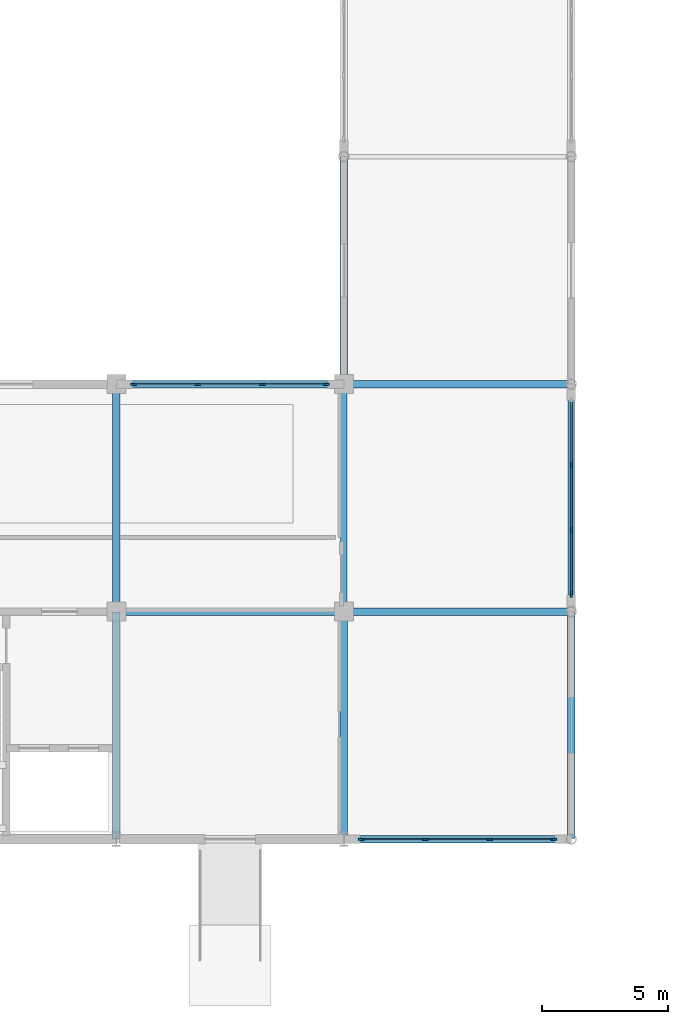
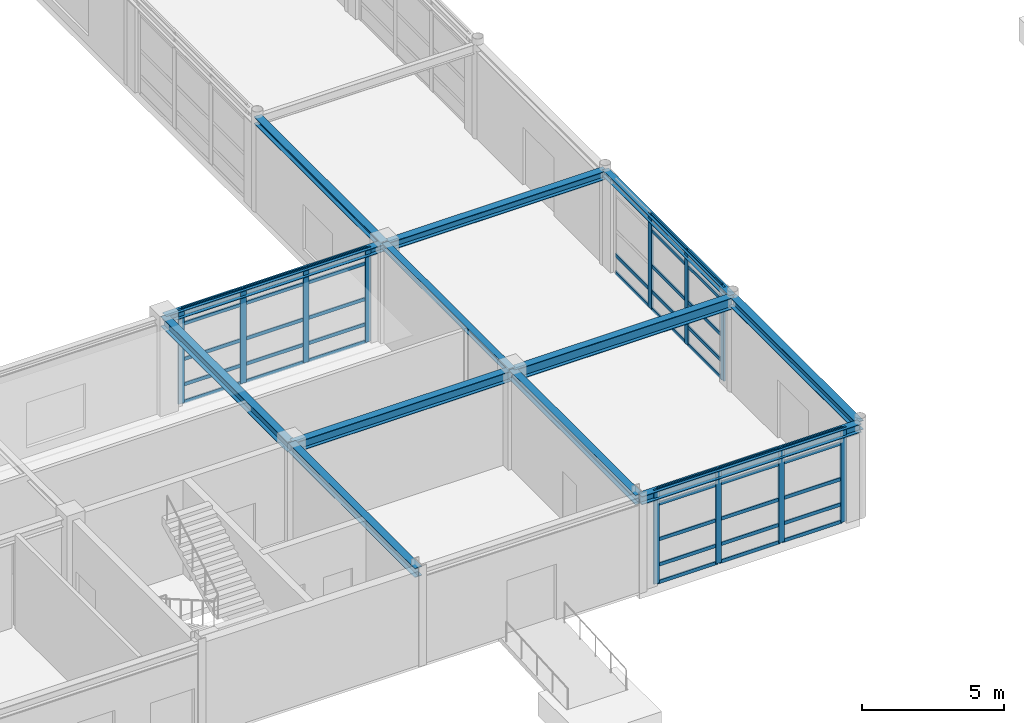
# One storey, part 23 of 72: 53 members, 12 beams, 3 elements without a shape of their own.
"""IFC4 building model written with IfcOpenShell, lengths in metres."""

import ifcopenshell
import ifcopenshell.guid

model = None  # the IFC model being written
_history = None  # IfcOwnerHistory: only IFC2X3 demands one
_inside = {}  # id of a spatial element -> (the spatial element, [elements in it])
_under = {}  # id of a project, library or spatial element -> (it, [spatial elements below it])
_declared = {}  # id of a project -> (the project, [libraries it declares])
_typed = {}  # id of a type object -> (the type object, [elements of that type])
_made_of = {}  # id of a material, layer set ... -> (it, [elements and type objects made of it])


def new_model(schema):
    """Start an empty IFC model of exactly this schema.

    Asked for "IFC4X3", IfcOpenShell would pick the latest addendum, in which some entities
    have other attributes; the version numbers below select the first issue.
    IFC2X3 requires an IfcOwnerHistory on every rooted entity: one is made here for all.
    """
    global model, _history
    if schema == "IFC4X3":
        model = ifcopenshell.file(schema_version=(4, 3, 0, 0))
    else:
        model = ifcopenshell.file(schema=schema)
    _inside.clear()
    _under.clear()
    _declared.clear()
    _typed.clear()
    _made_of.clear()
    _history = None
    if model.schema == "IFC2X3":
        org = make("IfcOrganization", Name="unknown")
        user = make(
            "IfcPersonAndOrganization",
            ThePerson=make("IfcPerson", FamilyName="unknown"),
            TheOrganization=org,
        )
        app = make(
            "IfcApplication",
            ApplicationDeveloper=org,
            Version="unknown",
            ApplicationFullName="unknown",
            ApplicationIdentifier="unknown",
        )
        _history = make(
            "IfcOwnerHistory",
            OwningUser=user,
            OwningApplication=app,
            ChangeAction="ADDED",
            CreationDate=0,
        )
    return model


def make(cls, **values):
    """One entity of the class cls with the attributes given. An attribute that is None is left unset."""
    return model.create_entity(
        cls, **{name: value for name, value in values.items() if value is not None}
    )


def rooted(cls, **values):
    """An entity with a GlobalId (a new one), such as an element, a storey or a relation."""
    return make(cls, GlobalId=ifcopenshell.guid.new(), OwnerHistory=_history, **values)


def si_unit(unit_type, name, prefix=None):
    """IfcSIUnit, for example si_unit("LENGTHUNIT", "METRE", prefix="MILLI")."""
    return make("IfcSIUnit", UnitType=unit_type, Prefix=prefix, Name=name)


def assignment(units):
    """IfcUnitAssignment: the units of a project."""
    return None if units is None else make("IfcUnitAssignment", Units=units)


def point(xyz):
    """IfcCartesianPoint."""
    return None if xyz is None else make("IfcCartesianPoint", Coordinates=xyz)


def direction(xyz):
    """IfcDirection."""
    return None if xyz is None else make("IfcDirection", DirectionRatios=xyz)


def frame(location, z_axis=None, x_axis=None):
    """IfcAxis2Placement3D, a coordinate frame: its origin and axes. An axis left out is left unset."""
    return make(
        "IfcAxis2Placement3D",
        Location=point(location),
        Axis=direction(z_axis),
        RefDirection=direction(x_axis),
    )


def frame_2d(location, x_axis=None):
    """IfcAxis2Placement2D, a coordinate frame in the plane: its origin and x axis."""
    return make(
        "IfcAxis2Placement2D", Location=point(location), RefDirection=direction(x_axis)
    )


def origin():
    """The frame at (0, 0, 0) with its axes left unset."""
    return frame((0.0, 0.0, 0.0))


def origin_2d():
    """The frame at (0, 0) in the plane with its x axis left unset."""
    return frame_2d((0.0, 0.0))


def place(relative_to, where):
    """IfcLocalPlacement: puts the frame where relative to a parent placement (None: the world)."""
    return make(
        "IfcLocalPlacement", PlacementRelTo=relative_to, RelativePlacement=where
    )


def context(
    kind, dimensions, precision=None, world=None, true_north=None, identifier=None
):
    """IfcGeometricRepresentationContext, for example the 3D "Model" context."""
    return make(
        "IfcGeometricRepresentationContext",
        ContextIdentifier=identifier,
        ContextType=kind,
        CoordinateSpaceDimension=dimensions,
        Precision=precision,
        WorldCoordinateSystem=world,
        TrueNorth=true_north,
    )


def subcontext(parent, identifier, kind, view, scale=None):
    """IfcGeometricRepresentationSubContext, for example "Body" below "Model"."""
    return make(
        "IfcGeometricRepresentationSubContext",
        ContextIdentifier=identifier,
        ContextType=kind,
        ParentContext=parent,
        TargetScale=scale,
        TargetView=view,
    )


def project(units=None, contexts=None):
    """IfcProject with its units and contexts."""
    return rooted(
        "IfcProject",
        Name="project",
        RepresentationContexts=contexts,
        UnitsInContext=assignment(units),
    )


def spatial(cls, under=None, at=None, **own):
    """A site, building, storey or space (cls), placed at a placement, below another one or the project."""
    s = rooted(cls, ObjectPlacement=at, **own)
    if under is not None:
        _under.setdefault(under.id(), (under, []))[1].append(s)
    return s


def profile(cls, at=None, kind="AREA", **sizes):
    """A parametric profile (cls). Its sizes go by their IFC names, for example OverallWidth=200.0."""
    return make(cls, ProfileType=kind, Position=at, **sizes)


def rectangle(**sizes):
    """IfcRectangleProfileDef."""
    return profile("IfcRectangleProfileDef", **sizes)


def i_section(**sizes):
    """IfcIShapeProfileDef."""
    return profile("IfcIShapeProfileDef", **sizes)


def extrude(swept, where, along, depth):
    """IfcExtrudedAreaSolid: the profile swept, set in the frame where, extruded along a direction by depth."""
    return make(
        "IfcExtrudedAreaSolid",
        SweptArea=swept,
        Position=where,
        ExtrudedDirection=direction(along),
        Depth=depth,
    )


def shape(context_of_items, identifier, shape_type, items):
    """IfcShapeRepresentation: the items that make up one representation, for example the "Body"."""
    return make(
        "IfcShapeRepresentation",
        ContextOfItems=context_of_items,
        RepresentationIdentifier=identifier,
        RepresentationType=shape_type,
        Items=items,
    )


def material(Name=None, Category=None):
    """IfcMaterial."""
    return make("IfcMaterial", Name=Name, Category=Category)


def material_profile(
    of_material, cross_section, Name=None, Category=None, Priority=None
):
    """IfcMaterialProfile: a cross section and its material."""
    return make(
        "IfcMaterialProfile",
        Name=Name,
        Material=of_material,
        Profile=cross_section,
        Priority=Priority,
        Category=Category,
    )


def profile_set(profiles, Name=None, composite=None):
    """IfcMaterialProfileSet."""
    return make(
        "IfcMaterialProfileSet",
        Name=Name,
        MaterialProfiles=profiles,
        CompositeProfile=composite,
    )


def made_of(thing, what):
    """Note that an element or type object is made of a material, layer set ...; save() writes the relation."""
    if what is not None:
        _made_of.setdefault(what.id(), (what, []))[1].append(thing)
    return thing


def type_object(cls, material=None, **own):
    """A type object (cls), such as IfcWallType, which elements share."""
    return made_of(rooted(cls, **own), material)


def element(
    cls,
    number,
    at=None,
    inside=None,
    cuts=None,
    type_object=None,
    material=None,
    context=None,
    identifier="Body",
    shape_type=None,
    held_by="IfcProductDefinitionShape",
    body=None,
    shapes=None,
    **own,
):
    """One element of the class cls, such as IfcWall. Its Tag is "e" and its number.

    at: its placement. inside: the storey or other place that contains it. cuts: it is an
    opening in that element (IfcRelVoidsElement). A single representation is given by context,
    identifier, shape_type and body (its items); several are given by shapes. held_by: the class
    of the entity that holds the representations. save() writes the other relations.
    """
    e = rooted(cls, Tag="e%d" % number, ObjectPlacement=at, **own)
    if body is not None:
        shapes = [shape(context, identifier, shape_type, body)]
    if shapes is not None:
        e.Representation = make(held_by, Representations=shapes)
    if inside is not None:
        _inside.setdefault(inside.id(), (inside, []))[1].append(e)
    if cuts is not None:
        rooted(
            "IfcRelVoidsElement", RelatingBuildingElement=cuts, RelatedOpeningElement=e
        )
    if type_object is not None:
        _typed.setdefault(type_object.id(), (type_object, []))[1].append(e)
    return made_of(e, material)


def aggregate(whole, parts):
    """IfcRelAggregates: a whole, such as a stair, and the parts it consists of."""
    return rooted("IfcRelAggregates", RelatingObject=whole, RelatedObjects=parts)


def save(model, path):
    """Write the relations noted so far, then the file.

    IfcRelAggregates (storeys below a building ...), IfcRelContainedInSpatialStructure (elements
    in a storey), IfcRelDefinesByType, IfcRelAssociatesMaterial and IfcRelDeclares: one each for
    every whole, place, type object, material and project.
    """
    for whole, parts in _under.values():
        aggregate(whole, parts)
    for where, things in _inside.values():
        rooted(
            "IfcRelContainedInSpatialStructure",
            RelatedElements=things,
            RelatingStructure=where,
        )
    for kind, things in _typed.values():
        rooted("IfcRelDefinesByType", RelatedObjects=things, RelatingType=kind)
    for what, things in _made_of.values():
        rooted("IfcRelAssociatesMaterial", RelatedObjects=things, RelatingMaterial=what)
    for by, libraries in _declared.values():
        rooted("IfcRelDeclares", RelatingContext=by, RelatedDefinitions=libraries)
    model.write(path)


model = new_model("IFC4")

# Units and contexts
model_context = context("Model", 3, precision=1e-05, world=origin(), true_north=direction((0.0, 1.0)))
body_context = subcontext(model_context, "Body", "Model", "MODEL_VIEW")
ifc_project = project(units=[si_unit("LENGTHUNIT", "METRE"), si_unit("AREAUNIT", "SQUARE_METRE"), si_unit("VOLUMEUNIT", "CUBIC_METRE"), si_unit("PLANEANGLEUNIT", "RADIAN"), si_unit("MASSUNIT", "GRAM", prefix="KILO")], contexts=[model_context])

# Site, building, storey
site_placement = place(None, origin())
site = spatial("IfcSite", under=ifc_project, at=site_placement, CompositionType="ELEMENT")
building_placement = place(site_placement, origin())
building = spatial("IfcBuilding", under=site, at=building_placement, Name="Palais des Congres Ocreval", CompositionType="ELEMENT")
storey_placement = place(building_placement, origin())
storey = spatial("IfcBuildingStorey", under=building, at=storey_placement, Name="L00", CompositionType="ELEMENT", Elevation=0.0)

# Curtain wall, members
ifc_material_1 = material(Name="Anodized bronze aluminium and low-E glass", Category="glass")
curtain_wall_type = type_object("IfcCurtainWallType", Name="Unitised Curtain Wall 7900x4060", PredefinedType="USERDEFINED", material=ifc_material_1)
curtain_wall_1_placement = place(storey_placement, origin())
curtain_wall_1 = element("IfcCurtainWall", 1, at=curtain_wall_1_placement, inside=storey, type_object=curtain_wall_type, Name="Unitised Curtain Wall CW01 L00", ObjectType="UNITISED CURTAIN WALL", PredefinedType="USERDEFINED")
ifc_material_2 = material(Name="Anodized bronze aluminium", Category="aluminium")
ifc_material_profile_1 = material_profile(ifc_material_2, rectangle(XDim=0.074951171875, YDim=0.239990234375, at=origin_2d()), Name="ALU 75x240")
ifc_profile_set_1 = profile_set([ifc_material_profile_1], Name="Anodized bronze aluminium")
member_type_1 = type_object("IfcMemberType", Name="Curtain Wall Mullion ALU 75x240", PredefinedType="MULLION", material=ifc_profile_set_1)
member_1_placement = place(storey_placement, frame((81.0, 14.783203125, 0.0), z_axis=(0.0, 0.0, 1.0), x_axis=(1.0, 0.0, 0.0)))
member_1 = element("IfcMember", 2, at=member_1_placement, type_object=member_type_1, Name="Curtain Wall Mullion ML01", PredefinedType="MULLION", context=body_context, shape_type="SweptSolid", body=[
    extrude(rectangle(XDim=0.074951171875, YDim=0.239990234375, at=origin_2d()), origin(), (0.0, 0.0, 1.0), 4.054931640625),
])
member_2_placement = place(storey_placement, frame((81.0, 12.216796875, 0.0), z_axis=(0.0, 0.0, 1.0), x_axis=(1.0, 0.0, 0.0)))
member_2 = element("IfcMember", 3, at=member_2_placement, type_object=member_type_1, Name="Curtain Wall Mullion ML01", PredefinedType="MULLION", context=body_context, shape_type="SweptSolid", body=[
    extrude(rectangle(XDim=0.074951171875, YDim=0.239990234375, at=origin_2d()), origin(), (0.0, 0.0, 1.0), 4.054931640625),
])
member_3_placement = place(storey_placement, frame((81.0, 9.6875, 0.0), z_axis=(0.0, 0.0, 1.0), x_axis=(1.0, 0.0, 0.0)))
member_3 = element("IfcMember", 4, at=member_3_placement, type_object=member_type_1, Name="Curtain Wall Mullion ML01", PredefinedType="MULLION", context=body_context, shape_type="SweptSolid", body=[
    extrude(rectangle(XDim=0.074951171875, YDim=0.239990234375, at=origin_2d()), origin(), (0.0, 0.0, 1.0), 4.054931640625),
])

curtain_wall_2_placement = place(storey_placement, origin())
curtain_wall_2 = element("IfcCurtainWall", 5, at=curtain_wall_2_placement, inside=storey, type_object=curtain_wall_type, Name="Unitised Curtain Wall CW01 L00", ObjectType="UNITISED CURTAIN WALL", PredefinedType="USERDEFINED")
member_4_placement = place(storey_placement, frame((80.3125, 0.0, 0.0), z_axis=(0.0, 0.0, 1.0), x_axis=(0.0, -1.0, 0.0)))
member_4 = element("IfcMember", 6, at=member_4_placement, type_object=member_type_1, Name="Curtain Wall Mullion ML01", PredefinedType="MULLION", context=body_context, shape_type="SweptSolid", body=[
    extrude(rectangle(XDim=0.074951171875, YDim=0.239990234375, at=origin_2d()), origin(), (0.0, 0.0, 1.0), 4.054931640625),
])
member_5_placement = place(storey_placement, frame((77.783203125, 0.0, 0.0), z_axis=(0.0, 0.0, 1.0), x_axis=(0.0, -1.0, 0.0)))
member_5 = element("IfcMember", 7, at=member_5_placement, type_object=member_type_1, Name="Curtain Wall Mullion ML01", PredefinedType="MULLION", context=body_context, shape_type="SweptSolid", body=[
    extrude(rectangle(XDim=0.074951171875, YDim=0.239990234375, at=origin_2d()), origin(), (0.0, 0.0, 1.0), 4.054931640625),
])
member_6_placement = place(storey_placement, frame((75.216796875, 0.0, 0.0), z_axis=(0.0, 0.0, 1.0), x_axis=(0.0, -1.0, 0.0)))
member_6 = element("IfcMember", 8, at=member_6_placement, type_object=member_type_1, Name="Curtain Wall Mullion ML01", PredefinedType="MULLION", context=body_context, shape_type="SweptSolid", body=[
    extrude(rectangle(XDim=0.074951171875, YDim=0.239990234375, at=origin_2d()), origin(), (0.0, 0.0, 1.0), 4.054931640625),
])
member_7_placement = place(storey_placement, frame((72.6875, 0.0, 0.0), z_axis=(0.0, 0.0, 1.0), x_axis=(0.0, -1.0, 0.0)))
member_7 = element("IfcMember", 9, at=member_7_placement, type_object=member_type_1, Name="Curtain Wall Mullion ML01", PredefinedType="MULLION", context=body_context, shape_type="SweptSolid", body=[
    extrude(rectangle(XDim=0.074951171875, YDim=0.239990234375, at=origin_2d()), origin(), (0.0, 0.0, 1.0), 4.054931640625),
])

curtain_wall_3_placement = place(storey_placement, origin())
curtain_wall_3 = element("IfcCurtainWall", 10, at=curtain_wall_3_placement, inside=storey, type_object=curtain_wall_type, Name="Unitised Curtain Wall CW01 L00", ObjectType="UNITISED CURTAIN WALL", PredefinedType="USERDEFINED")
member_8_placement = place(storey_placement, frame((63.6875, 18.0, 0.0), z_axis=(0.0, 0.0, 1.0), x_axis=(0.0, 1.0, 0.0)))
member_8 = element("IfcMember", 11, at=member_8_placement, type_object=member_type_1, Name="Curtain Wall Mullion ML01", PredefinedType="MULLION", context=body_context, shape_type="SweptSolid", body=[
    extrude(rectangle(XDim=0.074951171875, YDim=0.239990234375, at=origin_2d()), origin(), (0.0, 0.0, 1.0), 4.054931640625),
])
member_9_placement = place(storey_placement, frame((66.216796875, 18.0, 0.0), z_axis=(0.0, 0.0, 1.0), x_axis=(0.0, 1.0, 0.0)))
member_9 = element("IfcMember", 12, at=member_9_placement, type_object=member_type_1, Name="Curtain Wall Mullion ML01", PredefinedType="MULLION", context=body_context, shape_type="SweptSolid", body=[
    extrude(rectangle(XDim=0.074951171875, YDim=0.239990234375, at=origin_2d()), origin(), (0.0, 0.0, 1.0), 4.054931640625),
])
member_10_placement = place(storey_placement, frame((68.783203125, 18.0, 0.0), z_axis=(0.0, 0.0, 1.0), x_axis=(0.0, 1.0, 0.0)))
member_10 = element("IfcMember", 13, at=member_10_placement, type_object=member_type_1, Name="Curtain Wall Mullion ML01", PredefinedType="MULLION", context=body_context, shape_type="SweptSolid", body=[
    extrude(rectangle(XDim=0.074951171875, YDim=0.239990234375, at=origin_2d()), origin(), (0.0, 0.0, 1.0), 4.054931640625),
])
member_11_placement = place(storey_placement, frame((71.3125, 18.0, 0.0), z_axis=(0.0, 0.0, 1.0), x_axis=(0.0, 1.0, 0.0)))
member_11 = element("IfcMember", 14, at=member_11_placement, type_object=member_type_1, Name="Curtain Wall Mullion ML01", PredefinedType="MULLION", context=body_context, shape_type="SweptSolid", body=[
    extrude(rectangle(XDim=0.074951171875, YDim=0.239990234375, at=origin_2d()), origin(), (0.0, 0.0, 1.0), 4.054931640625),
])

# Member
ifc_material_profile_2 = material_profile(ifc_material_2, rectangle(XDim=0.06005859375, YDim=0.14990234375, at=origin_2d()), Name="ALU 60x150")
ifc_profile_set_2 = profile_set([ifc_material_profile_2], Name="Anodized bronze aluminium")
member_type_2 = type_object("IfcMemberType", Name="Curtain Wall Transom ALU 60x150", PredefinedType="USERDEFINED", material=ifc_profile_set_2)
member_12_placement = place(storey_placement, frame((81.0, 17.27490234375, 0.030029296875), z_axis=(0.0, -1.0, 0.0), x_axis=(1.0, 0.0, 0.0)))
member_12 = element("IfcMember", 15, at=member_12_placement, type_object=member_type_2, Name="Curtain Wall Transom TR01", ObjectType="TRANSOM", PredefinedType="USERDEFINED", context=body_context, shape_type="SweptSolid", body=[
    extrude(rectangle(XDim=0.06005859375, YDim=0.14990234375, at=origin_2d()), origin(), (0.0, 0.0, 1.0), 2.4541015625),
])

member_13_placement = place(storey_placement, frame((81.0, 17.27490234375, 0.780029296875), z_axis=(0.0, -1.0, 0.0), x_axis=(1.0, 0.0, 0.0)))
member_13 = element("IfcMember", 16, at=member_13_placement, type_object=member_type_2, Name="Curtain Wall Transom TR01", ObjectType="TRANSOM", PredefinedType="USERDEFINED", context=body_context, shape_type="SweptSolid", body=[
    extrude(rectangle(XDim=0.06005859375, YDim=0.14990234375, at=origin_2d()), origin(), (0.0, 0.0, 1.0), 2.4541015625),
])

member_14_placement = place(storey_placement, frame((81.0, 14.745849609375, 0.030029296875), z_axis=(0.0, -1.0, 0.0), x_axis=(1.0, 0.0, 0.0)))
member_14 = element("IfcMember", 17, at=member_14_placement, type_object=member_type_2, Name="Curtain Wall Transom TR01", ObjectType="TRANSOM", PredefinedType="USERDEFINED", context=body_context, shape_type="SweptSolid", body=[
    extrude(rectangle(XDim=0.06005859375, YDim=0.14990234375, at=origin_2d()), origin(), (0.0, 0.0, 1.0), 2.49169921875),
])

member_15_placement = place(storey_placement, frame((81.0, 14.745849609375, 0.780029296875), z_axis=(0.0, -1.0, 0.0), x_axis=(1.0, 0.0, 0.0)))
member_15 = element("IfcMember", 18, at=member_15_placement, type_object=member_type_2, Name="Curtain Wall Transom TR01", ObjectType="TRANSOM", PredefinedType="USERDEFINED", context=body_context, shape_type="SweptSolid", body=[
    extrude(rectangle(XDim=0.06005859375, YDim=0.14990234375, at=origin_2d()), origin(), (0.0, 0.0, 1.0), 2.49169921875),
])

member_16_placement = place(storey_placement, frame((81.0, 14.745849609375, 1.872802734375), z_axis=(0.0, -1.0, 0.0), x_axis=(1.0, 0.0, 0.0)))
member_16 = element("IfcMember", 19, at=member_16_placement, type_object=member_type_2, Name="Curtain Wall Transom TR01", ObjectType="TRANSOM", PredefinedType="USERDEFINED", context=body_context, shape_type="SweptSolid", body=[
    extrude(rectangle(XDim=0.06005859375, YDim=0.14990234375, at=origin_2d()), origin(), (0.0, 0.0, 1.0), 2.49169921875),
])

member_17_placement = place(storey_placement, frame((81.0, 14.745849609375, 3.405029296875), z_axis=(0.0, -1.0, 0.0), x_axis=(1.0, 0.0, 0.0)))
member_17 = element("IfcMember", 20, at=member_17_placement, type_object=member_type_2, Name="Curtain Wall Transom TR01", ObjectType="TRANSOM", PredefinedType="USERDEFINED", context=body_context, shape_type="SweptSolid", body=[
    extrude(rectangle(XDim=0.06005859375, YDim=0.14990234375, at=origin_2d()), origin(), (0.0, 0.0, 1.0), 2.49169921875),
])

member_18_placement = place(storey_placement, frame((81.0, 14.745849609375, 4.02490234375), z_axis=(0.0, -1.0, 0.0), x_axis=(1.0, 0.0, 0.0)))
member_18 = element("IfcMember", 21, at=member_18_placement, type_object=member_type_2, Name="Curtain Wall Transom TR01", ObjectType="TRANSOM", PredefinedType="USERDEFINED", context=body_context, shape_type="SweptSolid", body=[
    extrude(rectangle(XDim=0.06005859375, YDim=0.14990234375, at=origin_2d()), origin(), (0.0, 0.0, 1.0), 2.49169921875),
])

member_19_placement = place(storey_placement, frame((81.0, 12.17919921875, 0.030029296875), z_axis=(0.0, -1.0, 0.0), x_axis=(1.0, 0.0, 0.0)))
member_19 = element("IfcMember", 22, at=member_19_placement, type_object=member_type_2, Name="Curtain Wall Transom TR01", ObjectType="TRANSOM", PredefinedType="USERDEFINED", context=body_context, shape_type="SweptSolid", body=[
    extrude(rectangle(XDim=0.06005859375, YDim=0.14990234375, at=origin_2d()), origin(), (0.0, 0.0, 1.0), 2.4541015625),
])

member_20_placement = place(storey_placement, frame((81.0, 12.17919921875, 0.780029296875), z_axis=(0.0, -1.0, 0.0), x_axis=(1.0, 0.0, 0.0)))
member_20 = element("IfcMember", 23, at=member_20_placement, type_object=member_type_2, Name="Curtain Wall Transom TR01", ObjectType="TRANSOM", PredefinedType="USERDEFINED", context=body_context, shape_type="SweptSolid", body=[
    extrude(rectangle(XDim=0.06005859375, YDim=0.14990234375, at=origin_2d()), origin(), (0.0, 0.0, 1.0), 2.4541015625),
])

member_21_placement = place(storey_placement, frame((81.0, 12.17919921875, 1.872802734375), z_axis=(0.0, -1.0, 0.0), x_axis=(1.0, 0.0, 0.0)))
member_21 = element("IfcMember", 24, at=member_21_placement, type_object=member_type_2, Name="Curtain Wall Transom TR01", ObjectType="TRANSOM", PredefinedType="USERDEFINED", context=body_context, shape_type="SweptSolid", body=[
    extrude(rectangle(XDim=0.06005859375, YDim=0.14990234375, at=origin_2d()), origin(), (0.0, 0.0, 1.0), 2.4541015625),
])

member_22_placement = place(storey_placement, frame((81.0, 12.17919921875, 3.405029296875), z_axis=(0.0, -1.0, 0.0), x_axis=(1.0, 0.0, 0.0)))
member_22 = element("IfcMember", 25, at=member_22_placement, type_object=member_type_2, Name="Curtain Wall Transom TR01", ObjectType="TRANSOM", PredefinedType="USERDEFINED", context=body_context, shape_type="SweptSolid", body=[
    extrude(rectangle(XDim=0.06005859375, YDim=0.14990234375, at=origin_2d()), origin(), (0.0, 0.0, 1.0), 2.4541015625),
])

member_23_placement = place(storey_placement, frame((81.0, 12.17919921875, 4.02490234375), z_axis=(0.0, -1.0, 0.0), x_axis=(1.0, 0.0, 0.0)))
member_23 = element("IfcMember", 26, at=member_23_placement, type_object=member_type_2, Name="Curtain Wall Transom TR01", ObjectType="TRANSOM", PredefinedType="USERDEFINED", context=body_context, shape_type="SweptSolid", body=[
    extrude(rectangle(XDim=0.06005859375, YDim=0.14990234375, at=origin_2d()), origin(), (0.0, 0.0, 1.0), 2.4541015625),
])

aggregate(curtain_wall_1, [member_1, member_2, member_3, member_12, member_13, member_14, member_15, member_16, member_17, member_18, member_19, member_20, member_21, member_22, member_23])

member_24_placement = place(storey_placement, frame((80.27490234375, 0.0, 0.030029296875), z_axis=(-1.0, 0.0, 0.0), x_axis=(0.0, -1.0, 0.0)))
member_24 = element("IfcMember", 27, at=member_24_placement, type_object=member_type_2, Name="Curtain Wall Transom TR01", ObjectType="TRANSOM", PredefinedType="USERDEFINED", context=body_context, shape_type="SweptSolid", body=[
    extrude(rectangle(XDim=0.06005859375, YDim=0.14990234375, at=origin_2d()), origin(), (0.0, 0.0, 1.0), 2.4541015625),
])

member_25_placement = place(storey_placement, frame((80.27490234375, 0.0, 0.780029296875), z_axis=(-1.0, 0.0, 0.0), x_axis=(0.0, -1.0, 0.0)))
member_25 = element("IfcMember", 28, at=member_25_placement, type_object=member_type_2, Name="Curtain Wall Transom TR01", ObjectType="TRANSOM", PredefinedType="USERDEFINED", context=body_context, shape_type="SweptSolid", body=[
    extrude(rectangle(XDim=0.06005859375, YDim=0.14990234375, at=origin_2d()), origin(), (0.0, 0.0, 1.0), 2.4541015625),
])

member_26_placement = place(storey_placement, frame((80.27490234375, 0.0, 1.872802734375), z_axis=(-1.0, 0.0, 0.0), x_axis=(0.0, -1.0, 0.0)))
member_26 = element("IfcMember", 29, at=member_26_placement, type_object=member_type_2, Name="Curtain Wall Transom TR01", ObjectType="TRANSOM", PredefinedType="USERDEFINED", context=body_context, shape_type="SweptSolid", body=[
    extrude(rectangle(XDim=0.06005859375, YDim=0.14990234375, at=origin_2d()), origin(), (0.0, 0.0, 1.0), 2.4541015625),
])

member_27_placement = place(storey_placement, frame((80.27490234375, 0.0, 3.405029296875), z_axis=(-1.0, 0.0, 0.0), x_axis=(0.0, -1.0, 0.0)))
member_27 = element("IfcMember", 30, at=member_27_placement, type_object=member_type_2, Name="Curtain Wall Transom TR01", ObjectType="TRANSOM", PredefinedType="USERDEFINED", context=body_context, shape_type="SweptSolid", body=[
    extrude(rectangle(XDim=0.06005859375, YDim=0.14990234375, at=origin_2d()), origin(), (0.0, 0.0, 1.0), 2.4541015625),
])

member_28_placement = place(storey_placement, frame((80.27490234375, 0.0, 4.02490234375), z_axis=(-1.0, 0.0, 0.0), x_axis=(0.0, -1.0, 0.0)))
member_28 = element("IfcMember", 31, at=member_28_placement, type_object=member_type_2, Name="Curtain Wall Transom TR01", ObjectType="TRANSOM", PredefinedType="USERDEFINED", context=body_context, shape_type="SweptSolid", body=[
    extrude(rectangle(XDim=0.06005859375, YDim=0.14990234375, at=origin_2d()), origin(), (0.0, 0.0, 1.0), 2.4541015625),
])

member_29_placement = place(storey_placement, frame((77.745849609375, 0.0, 0.030029296875), z_axis=(-1.0, 0.0, 0.0), x_axis=(0.0, -1.0, 0.0)))
member_29 = element("IfcMember", 32, at=member_29_placement, type_object=member_type_2, Name="Curtain Wall Transom TR01", ObjectType="TRANSOM", PredefinedType="USERDEFINED", context=body_context, shape_type="SweptSolid", body=[
    extrude(rectangle(XDim=0.06005859375, YDim=0.14990234375, at=origin_2d()), origin(), (0.0, 0.0, 1.0), 2.49169921875),
])

member_30_placement = place(storey_placement, frame((77.745849609375, 0.0, 0.780029296875), z_axis=(-1.0, 0.0, 0.0), x_axis=(0.0, -1.0, 0.0)))
member_30 = element("IfcMember", 33, at=member_30_placement, type_object=member_type_2, Name="Curtain Wall Transom TR01", ObjectType="TRANSOM", PredefinedType="USERDEFINED", context=body_context, shape_type="SweptSolid", body=[
    extrude(rectangle(XDim=0.06005859375, YDim=0.14990234375, at=origin_2d()), origin(), (0.0, 0.0, 1.0), 2.49169921875),
])

member_31_placement = place(storey_placement, frame((77.745849609375, 0.0, 1.872802734375), z_axis=(-1.0, 0.0, 0.0), x_axis=(0.0, -1.0, 0.0)))
member_31 = element("IfcMember", 34, at=member_31_placement, type_object=member_type_2, Name="Curtain Wall Transom TR01", ObjectType="TRANSOM", PredefinedType="USERDEFINED", context=body_context, shape_type="SweptSolid", body=[
    extrude(rectangle(XDim=0.06005859375, YDim=0.14990234375, at=origin_2d()), origin(), (0.0, 0.0, 1.0), 2.49169921875),
])

member_32_placement = place(storey_placement, frame((77.745849609375, 0.0, 3.405029296875), z_axis=(-1.0, 0.0, 0.0), x_axis=(0.0, -1.0, 0.0)))
member_32 = element("IfcMember", 35, at=member_32_placement, type_object=member_type_2, Name="Curtain Wall Transom TR01", ObjectType="TRANSOM", PredefinedType="USERDEFINED", context=body_context, shape_type="SweptSolid", body=[
    extrude(rectangle(XDim=0.06005859375, YDim=0.14990234375, at=origin_2d()), origin(), (0.0, 0.0, 1.0), 2.49169921875),
])

member_33_placement = place(storey_placement, frame((77.745849609375, 0.0, 4.02490234375), z_axis=(-1.0, 0.0, 0.0), x_axis=(0.0, -1.0, 0.0)))
member_33 = element("IfcMember", 36, at=member_33_placement, type_object=member_type_2, Name="Curtain Wall Transom TR01", ObjectType="TRANSOM", PredefinedType="USERDEFINED", context=body_context, shape_type="SweptSolid", body=[
    extrude(rectangle(XDim=0.06005859375, YDim=0.14990234375, at=origin_2d()), origin(), (0.0, 0.0, 1.0), 2.49169921875),
])

member_34_placement = place(storey_placement, frame((75.17919921875, 0.0, 0.030029296875), z_axis=(-1.0, 0.0, 0.0), x_axis=(0.0, -1.0, 0.0)))
member_34 = element("IfcMember", 37, at=member_34_placement, type_object=member_type_2, Name="Curtain Wall Transom TR01", ObjectType="TRANSOM", PredefinedType="USERDEFINED", context=body_context, shape_type="SweptSolid", body=[
    extrude(rectangle(XDim=0.06005859375, YDim=0.14990234375, at=origin_2d()), origin(), (0.0, 0.0, 1.0), 2.4541015625),
])

member_35_placement = place(storey_placement, frame((75.17919921875, 0.0, 0.780029296875), z_axis=(-1.0, 0.0, 0.0), x_axis=(0.0, -1.0, 0.0)))
member_35 = element("IfcMember", 38, at=member_35_placement, type_object=member_type_2, Name="Curtain Wall Transom TR01", ObjectType="TRANSOM", PredefinedType="USERDEFINED", context=body_context, shape_type="SweptSolid", body=[
    extrude(rectangle(XDim=0.06005859375, YDim=0.14990234375, at=origin_2d()), origin(), (0.0, 0.0, 1.0), 2.4541015625),
])

member_36_placement = place(storey_placement, frame((75.17919921875, 0.0, 1.872802734375), z_axis=(-1.0, 0.0, 0.0), x_axis=(0.0, -1.0, 0.0)))
member_36 = element("IfcMember", 39, at=member_36_placement, type_object=member_type_2, Name="Curtain Wall Transom TR01", ObjectType="TRANSOM", PredefinedType="USERDEFINED", context=body_context, shape_type="SweptSolid", body=[
    extrude(rectangle(XDim=0.06005859375, YDim=0.14990234375, at=origin_2d()), origin(), (0.0, 0.0, 1.0), 2.4541015625),
])

member_37_placement = place(storey_placement, frame((75.17919921875, 0.0, 3.405029296875), z_axis=(-1.0, 0.0, 0.0), x_axis=(0.0, -1.0, 0.0)))
member_37 = element("IfcMember", 40, at=member_37_placement, type_object=member_type_2, Name="Curtain Wall Transom TR01", ObjectType="TRANSOM", PredefinedType="USERDEFINED", context=body_context, shape_type="SweptSolid", body=[
    extrude(rectangle(XDim=0.06005859375, YDim=0.14990234375, at=origin_2d()), origin(), (0.0, 0.0, 1.0), 2.4541015625),
])

member_38_placement = place(storey_placement, frame((75.17919921875, 0.0, 4.02490234375), z_axis=(-1.0, 0.0, 0.0), x_axis=(0.0, -1.0, 0.0)))
member_38 = element("IfcMember", 41, at=member_38_placement, type_object=member_type_2, Name="Curtain Wall Transom TR01", ObjectType="TRANSOM", PredefinedType="USERDEFINED", context=body_context, shape_type="SweptSolid", body=[
    extrude(rectangle(XDim=0.06005859375, YDim=0.14990234375, at=origin_2d()), origin(), (0.0, 0.0, 1.0), 2.4541015625),
])

aggregate(curtain_wall_2, [member_4, member_5, member_6, member_7, member_24, member_25, member_26, member_27, member_28, member_29, member_30, member_31, member_32, member_33, member_34, member_35, member_36, member_37, member_38])

member_39_placement = place(storey_placement, frame((63.72509765625, 18.0, 0.030029296875), z_axis=(1.0, 0.0, 0.0), x_axis=(0.0, 1.0, 0.0)))
member_39 = element("IfcMember", 42, at=member_39_placement, type_object=member_type_2, Name="Curtain Wall Transom TR01", ObjectType="TRANSOM", PredefinedType="USERDEFINED", context=body_context, shape_type="SweptSolid", body=[
    extrude(rectangle(XDim=0.06005859375, YDim=0.14990234375, at=origin_2d()), origin(), (0.0, 0.0, 1.0), 2.4541015625),
])

member_40_placement = place(storey_placement, frame((63.72509765625, 18.0, 0.780029296875), z_axis=(1.0, 0.0, 0.0), x_axis=(0.0, 1.0, 0.0)))
member_40 = element("IfcMember", 43, at=member_40_placement, type_object=member_type_2, Name="Curtain Wall Transom TR01", ObjectType="TRANSOM", PredefinedType="USERDEFINED", context=body_context, shape_type="SweptSolid", body=[
    extrude(rectangle(XDim=0.06005859375, YDim=0.14990234375, at=origin_2d()), origin(), (0.0, 0.0, 1.0), 2.4541015625),
])

member_41_placement = place(storey_placement, frame((63.72509765625, 18.0, 1.872802734375), z_axis=(1.0, 0.0, 0.0), x_axis=(0.0, 1.0, 0.0)))
member_41 = element("IfcMember", 44, at=member_41_placement, type_object=member_type_2, Name="Curtain Wall Transom TR01", ObjectType="TRANSOM", PredefinedType="USERDEFINED", context=body_context, shape_type="SweptSolid", body=[
    extrude(rectangle(XDim=0.06005859375, YDim=0.14990234375, at=origin_2d()), origin(), (0.0, 0.0, 1.0), 2.4541015625),
])

member_42_placement = place(storey_placement, frame((63.72509765625, 18.0, 3.405029296875), z_axis=(1.0, 0.0, 0.0), x_axis=(0.0, 1.0, 0.0)))
member_42 = element("IfcMember", 45, at=member_42_placement, type_object=member_type_2, Name="Curtain Wall Transom TR01", ObjectType="TRANSOM", PredefinedType="USERDEFINED", context=body_context, shape_type="SweptSolid", body=[
    extrude(rectangle(XDim=0.06005859375, YDim=0.14990234375, at=origin_2d()), origin(), (0.0, 0.0, 1.0), 2.4541015625),
])

member_43_placement = place(storey_placement, frame((63.72509765625, 18.0, 4.02490234375), z_axis=(1.0, 0.0, 0.0), x_axis=(0.0, 1.0, 0.0)))
member_43 = element("IfcMember", 46, at=member_43_placement, type_object=member_type_2, Name="Curtain Wall Transom TR01", ObjectType="TRANSOM", PredefinedType="USERDEFINED", context=body_context, shape_type="SweptSolid", body=[
    extrude(rectangle(XDim=0.06005859375, YDim=0.14990234375, at=origin_2d()), origin(), (0.0, 0.0, 1.0), 2.4541015625),
])

member_44_placement = place(storey_placement, frame((66.254150390625, 18.0, 0.030029296875), z_axis=(1.0, 0.0, 0.0), x_axis=(0.0, 1.0, 0.0)))
member_44 = element("IfcMember", 47, at=member_44_placement, type_object=member_type_2, Name="Curtain Wall Transom TR01", ObjectType="TRANSOM", PredefinedType="USERDEFINED", context=body_context, shape_type="SweptSolid", body=[
    extrude(rectangle(XDim=0.06005859375, YDim=0.14990234375, at=origin_2d()), origin(), (0.0, 0.0, 1.0), 2.49169921875),
])

member_45_placement = place(storey_placement, frame((66.254150390625, 18.0, 0.780029296875), z_axis=(1.0, 0.0, 0.0), x_axis=(0.0, 1.0, 0.0)))
member_45 = element("IfcMember", 48, at=member_45_placement, type_object=member_type_2, Name="Curtain Wall Transom TR01", ObjectType="TRANSOM", PredefinedType="USERDEFINED", context=body_context, shape_type="SweptSolid", body=[
    extrude(rectangle(XDim=0.06005859375, YDim=0.14990234375, at=origin_2d()), origin(), (0.0, 0.0, 1.0), 2.49169921875),
])

member_46_placement = place(storey_placement, frame((66.254150390625, 18.0, 1.872802734375), z_axis=(1.0, 0.0, 0.0), x_axis=(0.0, 1.0, 0.0)))
member_46 = element("IfcMember", 49, at=member_46_placement, type_object=member_type_2, Name="Curtain Wall Transom TR01", ObjectType="TRANSOM", PredefinedType="USERDEFINED", context=body_context, shape_type="SweptSolid", body=[
    extrude(rectangle(XDim=0.06005859375, YDim=0.14990234375, at=origin_2d()), origin(), (0.0, 0.0, 1.0), 2.49169921875),
])

member_47_placement = place(storey_placement, frame((66.254150390625, 18.0, 3.405029296875), z_axis=(1.0, 0.0, 0.0), x_axis=(0.0, 1.0, 0.0)))
member_47 = element("IfcMember", 50, at=member_47_placement, type_object=member_type_2, Name="Curtain Wall Transom TR01", ObjectType="TRANSOM", PredefinedType="USERDEFINED", context=body_context, shape_type="SweptSolid", body=[
    extrude(rectangle(XDim=0.06005859375, YDim=0.14990234375, at=origin_2d()), origin(), (0.0, 0.0, 1.0), 2.49169921875),
])

member_48_placement = place(storey_placement, frame((66.254150390625, 18.0, 4.02490234375), z_axis=(1.0, 0.0, 0.0), x_axis=(0.0, 1.0, 0.0)))
member_48 = element("IfcMember", 51, at=member_48_placement, type_object=member_type_2, Name="Curtain Wall Transom TR01", ObjectType="TRANSOM", PredefinedType="USERDEFINED", context=body_context, shape_type="SweptSolid", body=[
    extrude(rectangle(XDim=0.06005859375, YDim=0.14990234375, at=origin_2d()), origin(), (0.0, 0.0, 1.0), 2.49169921875),
])

member_49_placement = place(storey_placement, frame((68.82080078125, 18.0, 0.030029296875), z_axis=(1.0, 0.0, 0.0), x_axis=(0.0, 1.0, 0.0)))
member_49 = element("IfcMember", 52, at=member_49_placement, type_object=member_type_2, Name="Curtain Wall Transom TR01", ObjectType="TRANSOM", PredefinedType="USERDEFINED", context=body_context, shape_type="SweptSolid", body=[
    extrude(rectangle(XDim=0.06005859375, YDim=0.14990234375, at=origin_2d()), origin(), (0.0, 0.0, 1.0), 2.4541015625),
])

member_50_placement = place(storey_placement, frame((68.82080078125, 18.0, 0.780029296875), z_axis=(1.0, 0.0, 0.0), x_axis=(0.0, 1.0, 0.0)))
member_50 = element("IfcMember", 53, at=member_50_placement, type_object=member_type_2, Name="Curtain Wall Transom TR01", ObjectType="TRANSOM", PredefinedType="USERDEFINED", context=body_context, shape_type="SweptSolid", body=[
    extrude(rectangle(XDim=0.06005859375, YDim=0.14990234375, at=origin_2d()), origin(), (0.0, 0.0, 1.0), 2.4541015625),
])

member_51_placement = place(storey_placement, frame((68.82080078125, 18.0, 1.872802734375), z_axis=(1.0, 0.0, 0.0), x_axis=(0.0, 1.0, 0.0)))
member_51 = element("IfcMember", 54, at=member_51_placement, type_object=member_type_2, Name="Curtain Wall Transom TR01", ObjectType="TRANSOM", PredefinedType="USERDEFINED", context=body_context, shape_type="SweptSolid", body=[
    extrude(rectangle(XDim=0.06005859375, YDim=0.14990234375, at=origin_2d()), origin(), (0.0, 0.0, 1.0), 2.4541015625),
])

member_52_placement = place(storey_placement, frame((68.82080078125, 18.0, 3.405029296875), z_axis=(1.0, 0.0, 0.0), x_axis=(0.0, 1.0, 0.0)))
member_52 = element("IfcMember", 55, at=member_52_placement, type_object=member_type_2, Name="Curtain Wall Transom TR01", ObjectType="TRANSOM", PredefinedType="USERDEFINED", context=body_context, shape_type="SweptSolid", body=[
    extrude(rectangle(XDim=0.06005859375, YDim=0.14990234375, at=origin_2d()), origin(), (0.0, 0.0, 1.0), 2.4541015625),
])

member_53_placement = place(storey_placement, frame((68.82080078125, 18.0, 4.02490234375), z_axis=(1.0, 0.0, 0.0), x_axis=(0.0, 1.0, 0.0)))
member_53 = element("IfcMember", 56, at=member_53_placement, type_object=member_type_2, Name="Curtain Wall Transom TR01", ObjectType="TRANSOM", PredefinedType="USERDEFINED", context=body_context, shape_type="SweptSolid", body=[
    extrude(rectangle(XDim=0.06005859375, YDim=0.14990234375, at=origin_2d()), origin(), (0.0, 0.0, 1.0), 2.4541015625),
])

aggregate(curtain_wall_3, [member_8, member_9, member_10, member_11, member_39, member_40, member_41, member_42, member_43, member_44, member_45, member_46, member_47, member_48, member_49, member_50, member_51, member_52, member_53])

# Beams
ifc_material_3 = material(Name="Steel S355", Category="steel")
ifc_material_profile_3 = material_profile(ifc_material_3, i_section(OverallWidth=0.260009765625, OverallDepth=0.260009765625, WebThickness=0.010009765625, FlangeThickness=0.017578125, at=origin_2d()), Name="HEB 260")
ifc_profile_set_3 = profile_set([ifc_material_profile_3], Name="Steel S355")
beam_type_1 = type_object("IfcBeamType", Name="Opening Lintel HEB 260 Steel S355", PredefinedType="LINTEL", material=ifc_profile_set_3)
for number, where, z_axis, x_axis, name in (
    (57, (72.0, 9.02001953125, 3.925048828125), (0.0, 1.0, 0.0), (-1.0, 0.0, 0.0), "Girder LN01 L00"),
    (58, (81.0, 9.02001953125, 3.925048828125), (0.0, 1.0, 0.0), (-1.0, 0.0, 0.0), "Girder LN01 L00"),
):
    element("IfcBeam", number, at=place(storey_placement, frame(where, z_axis=z_axis, x_axis=x_axis)), inside=storey, type_object=beam_type_1, Name=name, PredefinedType="LINTEL", context=body_context, shape_type="SweptSolid", body=[
        extrude(i_section(OverallWidth=0.260009765625, OverallDepth=0.260009765625, WebThickness=0.010009765625, FlangeThickness=0.017578125, at=origin_2d()), origin(), (0.0, 0.0, 1.0), 8.9599609375),
    ])
ifc_material_profile_4 = material_profile(ifc_material_3, i_section(OverallWidth=0.300048828125, OverallDepth=0.300048828125, WebThickness=0.010986328125, FlangeThickness=0.01904296875, at=origin_2d()), Name="HEB 300")
ifc_profile_set_4 = profile_set([ifc_material_profile_4], Name="Steel S355")
beam_type_2 = type_object("IfcBeamType", Name="Perimeter Spandrel HEB 300 Steel S355", PredefinedType="SPANDREL", material=ifc_profile_set_4)
for number, where, z_axis, x_axis, name in (
    (59, (63.02001953125, 18.0, 3.905029296875), (1.0, 0.0, 0.0), (0.0, 1.0, 0.0), "Beam SP02 L00"),
    (60, (72.0, 18.02001953125, 3.905029296875), (0.0, 1.0, 0.0), (-1.0, 0.0, 0.0), "Girder SP02 L00"),
):
    element("IfcBeam", number, at=place(storey_placement, frame(where, z_axis=z_axis, x_axis=x_axis)), inside=storey, type_object=beam_type_2, Name=name, PredefinedType="SPANDREL", context=body_context, shape_type="SweptSolid", body=[
        extrude(i_section(OverallWidth=0.300048828125, OverallDepth=0.300048828125, WebThickness=0.010986328125, FlangeThickness=0.01904296875, at=origin_2d()), origin(), (0.0, 0.0, 1.0), 8.9599609375),
    ])
ifc_material_profile_5 = material_profile(ifc_material_3, i_section(OverallWidth=0.300048828125, OverallDepth=0.360107421875, WebThickness=0.012451171875, FlangeThickness=0.0224609375, at=origin_2d()), Name="HEB 360")
ifc_profile_set_5 = profile_set([ifc_material_profile_5], Name="Steel S355")
beam_type_3 = type_object("IfcBeamType", Name="Perimeter Spandrel HEB 360 Steel S355", PredefinedType="SPANDREL", material=ifc_profile_set_5)
for number, where, z_axis, x_axis, name in (
    (61, (72.02001953125, 0.0, 3.875), (1.0, 0.0, 0.0), (0.0, 1.0, 0.0), "Beam SP03 L00"),
    (62, (72.02001953125, 18.0, 3.875), (1.0, 0.0, 0.0), (0.0, 1.0, 0.0), "Beam SP03 L00"),
):
    element("IfcBeam", number, at=place(storey_placement, frame(where, z_axis=z_axis, x_axis=x_axis)), inside=storey, type_object=beam_type_3, Name=name, PredefinedType="SPANDREL", context=body_context, shape_type="SweptSolid", body=[
        extrude(i_section(OverallWidth=0.300048828125, OverallDepth=0.360107421875, WebThickness=0.012451171875, FlangeThickness=0.0224609375, at=origin_2d()), origin(), (0.0, 0.0, 1.0), 8.9599609375),
    ])
ifc_material_profile_6 = material_profile(ifc_material_3, i_section(OverallWidth=0.300048828125, OverallDepth=0.39990234375, WebThickness=0.013427734375, FlangeThickness=0.02392578125, at=origin_2d()), Name="HEB 400")
ifc_profile_set_6 = profile_set([ifc_material_profile_6], Name="Steel S355")
beam_type_4 = type_object("IfcBeamType", Name="Perimeter Spandrel HEB 400 Steel S355", PredefinedType="SPANDREL", material=ifc_profile_set_6)
for number, where, z_axis, x_axis, name in (
    (63, (72.0, 0.02001953125, 3.85498046875), (0.0, 1.0, 0.0), (-1.0, 0.0, 0.0), "Girder SP04 L00"),
    (64, (81.0, 0.02001953125, 3.85498046875), (0.0, 1.0, 0.0), (-1.0, 0.0, 0.0), "Girder SP04 L00"),
):
    element("IfcBeam", number, at=place(storey_placement, frame(where, z_axis=z_axis, x_axis=x_axis)), inside=storey, type_object=beam_type_4, Name=name, PredefinedType="SPANDREL", context=body_context, shape_type="SweptSolid", body=[
        extrude(i_section(OverallWidth=0.300048828125, OverallDepth=0.39990234375, WebThickness=0.013427734375, FlangeThickness=0.02392578125, at=origin_2d()), origin(), (0.0, 0.0, 1.0), 8.9599609375),
    ])
ifc_material_profile_7 = material_profile(ifc_material_3, i_section(OverallWidth=0.300048828125, OverallDepth=0.389892578125, WebThickness=0.010986328125, FlangeThickness=0.01904296875, at=origin_2d()), Name="HEA 400")
ifc_profile_set_7 = profile_set([ifc_material_profile_7], Name="Steel S355")
beam_type_5 = type_object("IfcBeamType", Name="Primary Beam HEA 400 Steel S355", PredefinedType="BEAM", material=ifc_profile_set_7)
beam_1_placement = place(storey_placement, frame((63.0, 0.02001953125, 3.860107421875), z_axis=(0.0, 1.0, 0.0), x_axis=(-1.0, 0.0, 0.0)))
element("IfcBeam", 65, at=beam_1_placement, inside=storey, type_object=beam_type_5, Name="Girder B10 L00", PredefinedType="BEAM", context=body_context, shape_type="SweptSolid", body=[
    extrude(i_section(OverallWidth=0.300048828125, OverallDepth=0.389892578125, WebThickness=0.010986328125, FlangeThickness=0.01904296875, at=origin_2d()), origin(), (0.0, 0.0, 1.0), 8.9599609375),
])
ifc_material_profile_8 = material_profile(ifc_material_3, i_section(OverallWidth=0.300048828125, OverallDepth=0.43994140625, WebThickness=0.011474609375, FlangeThickness=0.02099609375, at=origin_2d()), Name="HEA 450")
ifc_profile_set_8 = profile_set([ifc_material_profile_8], Name="Steel S355")
beam_type_6 = type_object("IfcBeamType", Name="Primary Beam HEA 450 Steel S355", PredefinedType="BEAM", material=ifc_profile_set_8)
for number, where, z_axis, x_axis, name in (
    (66, (63.02001953125, 9.0, 3.8349609375), (1.0, 0.0, 0.0), (0.0, 1.0, 0.0), "Beam B11 L00"),
    (67, (63.0, 9.02001953125, 3.8349609375), (0.0, 1.0, 0.0), (-1.0, 0.0, 0.0), "Girder B11 L00"),
):
    element("IfcBeam", number, at=place(storey_placement, frame(where, z_axis=z_axis, x_axis=x_axis)), inside=storey, type_object=beam_type_6, Name=name, PredefinedType="BEAM", context=body_context, shape_type="SweptSolid", body=[
        extrude(i_section(OverallWidth=0.300048828125, OverallDepth=0.43994140625, WebThickness=0.011474609375, FlangeThickness=0.02099609375, at=origin_2d()), origin(), (0.0, 0.0, 1.0), 8.9599609375),
    ])
ifc_material_profile_9 = material_profile(ifc_material_3, i_section(OverallWidth=0.300048828125, OverallDepth=0.489990234375, WebThickness=0.011962890625, FlangeThickness=0.02294921875, at=origin_2d()), Name="HEA 500")
ifc_profile_set_9 = profile_set([ifc_material_profile_9], Name="Steel S355")
beam_type_7 = type_object("IfcBeamType", Name="Primary Beam HEA 500 Steel S355", PredefinedType="BEAM", material=ifc_profile_set_9)
beam_2_placement = place(storey_placement, frame((72.02001953125, 9.0, 3.81005859375), z_axis=(1.0, 0.0, 0.0), x_axis=(0.0, 1.0, 0.0)))
element("IfcBeam", 68, at=beam_2_placement, inside=storey, type_object=beam_type_7, Name="Beam B12 L00", PredefinedType="BEAM", context=body_context, shape_type="SweptSolid", body=[
    extrude(i_section(OverallWidth=0.300048828125, OverallDepth=0.489990234375, WebThickness=0.011962890625, FlangeThickness=0.02294921875, at=origin_2d()), origin(), (0.0, 0.0, 1.0), 8.9599609375),
])

save(model, "model.ifc")
